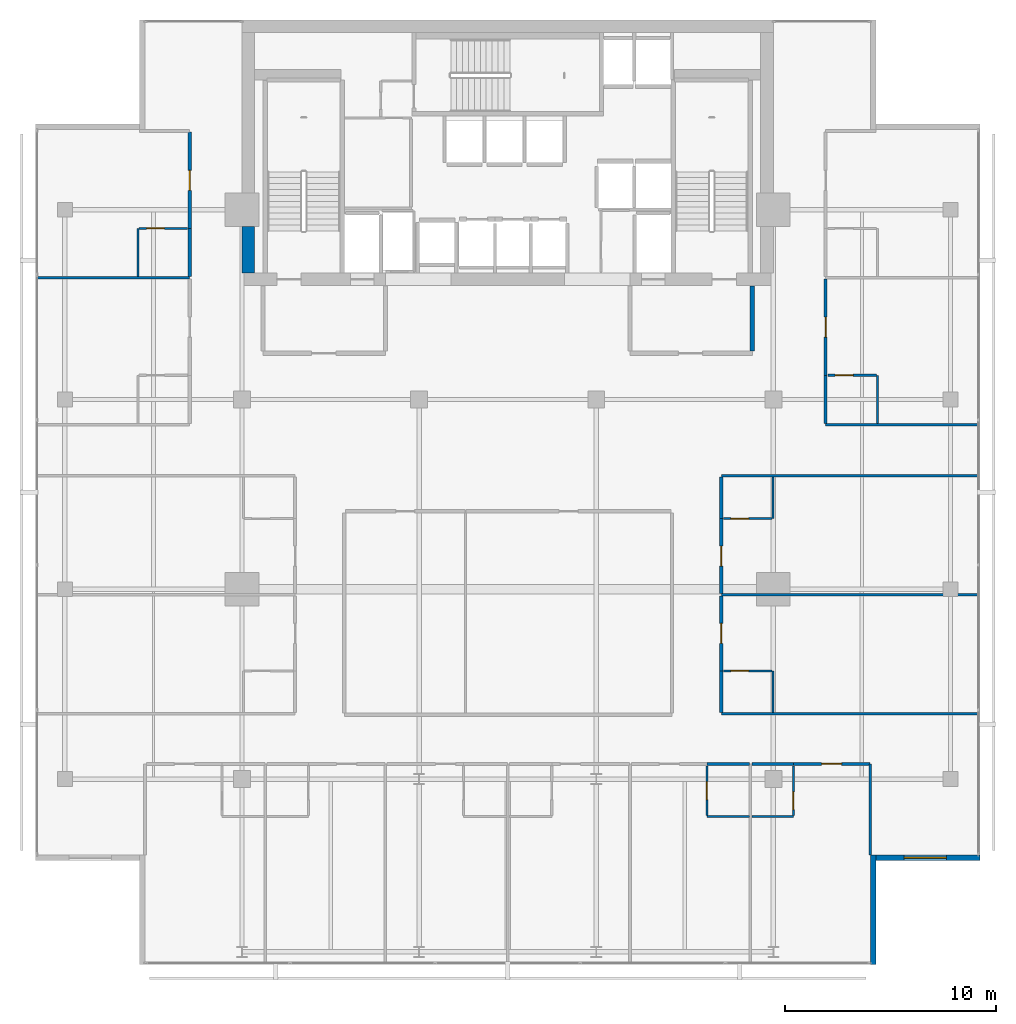
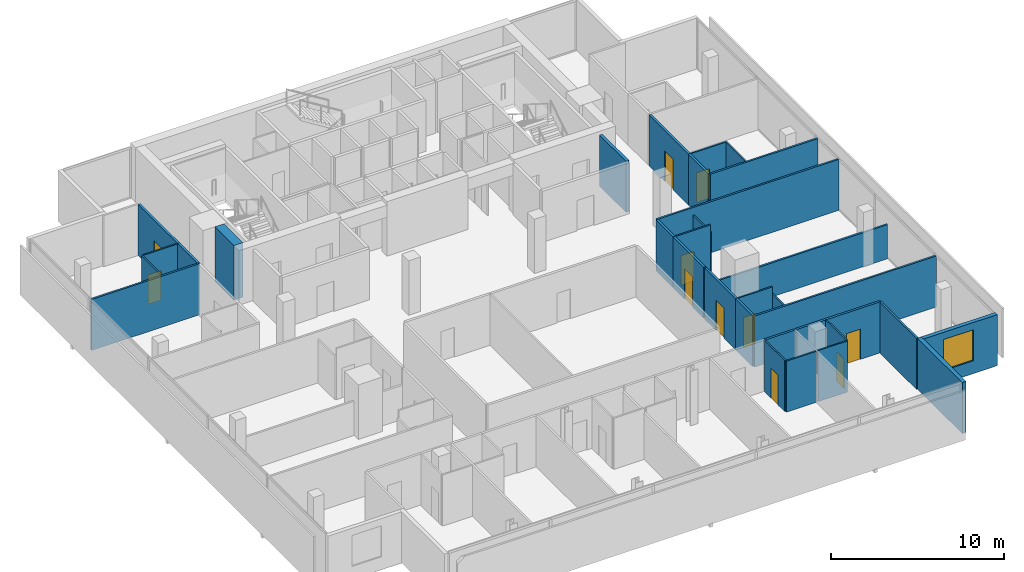
# One storey, part 21 of 25: 33 walls, 11 doors, 1 window, 12 openings.
"""IFC4 building model written with IfcOpenShell, lengths in metres."""

from ifc_helpers import new_model, si_unit, direction, frame, frame_2d, origin, place, context, subcontext, project, spatial, rectangle, extrude, material, layer, layer_set, type_object, element, fill, save


model = new_model("IFC4")

# Units and contexts
model_context = context("Model", 3, precision=1e-05, world=origin(), true_north=direction((0.0, 1.0)))
body_context = subcontext(model_context, "Body", "Model", "MODEL_VIEW")
ifc_project = project(units=[si_unit("LENGTHUNIT", "METRE"), si_unit("AREAUNIT", "SQUARE_METRE"), si_unit("VOLUMEUNIT", "CUBIC_METRE"), si_unit("PLANEANGLEUNIT", "RADIAN"), si_unit("MASSUNIT", "GRAM", prefix="KILO")], contexts=[model_context])

# Site, building, storey
site_placement = place(None, origin())
site = spatial("IfcSite", under=ifc_project, at=site_placement, CompositionType="ELEMENT")
building_placement = place(site_placement, origin())
building = spatial("IfcBuilding", under=site, at=building_placement, Name="Maruvema Waterfront Hotel and Observation Tower", CompositionType="ELEMENT")
storey_placement = place(building_placement, frame((0.0, 0.0, 239.39990234375)))
storey = spatial("IfcBuildingStorey", under=building, at=storey_placement, Name="L58", CompositionType="ELEMENT", Elevation=239.39990234375)

# Walls
ifc_material_1 = material(Name="Twin-stud acoustic gypsum drywall", Category="gypsum")
ifc_layer_1 = layer(ifc_material_1, 0.14990234375, Name="Acoustic Corridor and Suite Demising Wall 150 mm")
ifc_layer_set_1 = layer_set([ifc_layer_1], Name="Twin-stud acoustic gypsum drywall")
wall_type_1 = type_object("IfcWallType", Name="Acoustic Corridor and Suite Demising Wall 150 mm", PredefinedType="PARTITIONING", material=ifc_layer_set_1)
wall_1_placement = place(storey_placement, frame((47.25, 18.719970703125, 0.0), z_axis=(0.0, 0.0, 1.0), x_axis=(1.0, 0.0, 0.0)))
element("IfcWall", 1, at=wall_1_placement, inside=storey, type_object=wall_type_1, Name="L58 Bath L58-S5 Back Wall 045", PredefinedType="PARTITIONING", context=body_context, shape_type="SweptSolid", body=[
    extrude(rectangle(XDim=2.030029296875, YDim=0.14990234375, at=frame_2d((1.01513671875, 0.0))), origin(), (0.0, 0.0, 1.0), 3.610107421875),
])
wall_2_placement = place(storey_placement, frame((49.3798828125, 18.719970703125, 0.0), z_axis=(0.0, 0.0, 1.0), x_axis=(1.0, 0.0, 0.0)))
element("IfcWall", 2, at=wall_2_placement, inside=storey, type_object=wall_type_1, Name="L58 Bath L58-S6 Back Wall 050", PredefinedType="PARTITIONING", context=body_context, shape_type="SweptSolid", body=[
    extrude(rectangle(XDim=1.97021484375, YDim=0.14990234375, at=frame_2d((0.985107421875, 0.0))), origin(), (0.0, 0.0, 1.0), 3.610107421875),
])

# Wall, opening, door
wall_3_placement = place(storey_placement, frame((51.35009765625, 18.719970703125, 0.0), z_axis=(0.0, 0.0, 1.0), x_axis=(1.0, 0.0, 0.0)))
wall_3 = element("IfcWall", 3, at=wall_3_placement, inside=storey, type_object=wall_type_1, Name="L58 Unit L58-S6 Corridor Wall 053", PredefinedType="PARTITIONING", context=body_context, shape_type="SweptSolid", body=[
    extrude(rectangle(XDim=3.6298828125, YDim=0.14990234375, at=frame_2d((1.81494140625, 0.0))), origin(), (0.0, 0.0, 1.0), 3.610107421875),
])
opening_1_placement = place(wall_3_placement, frame((1.340087890625, 0.0, 0.0)))
opening_1 = element("IfcOpeningElement", 4, at=opening_1_placement, cuts=wall_3, Name="Opening DR-095", PredefinedType="OPENING", context=body_context, shape_type="SweptSolid", body=[
    extrude(rectangle(XDim=0.949951171875, YDim=2.14990234375, at=frame_2d((0.47509765625, 1.074951171875))), frame((0.0, 0.0849609375, 0.0), z_axis=(0.0, -1.0, 0.0), x_axis=(1.0, 0.0, 0.0)), (0.0, 0.0, 1.0), 0.169921875),
])
ifc_material_2 = material(Name="Acoustic solid-core hardwood timber leaf", Category="wood")
door_type_1 = type_object("IfcDoorType", Name="Guestroom Entrance Fire Door 950x2150 mm", OperationType="NOTDEFINED", PredefinedType="DOOR", material=ifc_material_2)
door_1_placement = place(opening_1_placement, frame((0.949951171875, 0.0, 0.0), z_axis=(0.0, 0.0, 1.0), x_axis=(-1.0, 0.0, 0.0)))
door_1 = element("IfcDoor", 5, at=door_1_placement, inside=storey, type_object=door_type_1, Name="L58 Unit L58-S6 Entrance Door", OperationType="SINGLE_SWING_LEFT", OverallHeight=2.14990234375, OverallWidth=0.949951171875, PredefinedType="DOOR", context=body_context, shape_type="SweptSolid", body=[
    extrude(rectangle(XDim=0.949951171875, YDim=2.14990234375, at=frame_2d((0.47509765625, 1.074951171875))), frame((0.0, 0.02490234375, 0.0), z_axis=(0.0, -1.0, 0.0), x_axis=(1.0, 0.0, 0.0)), (0.0, 0.0, 1.0), 0.050048828125),
])
fill(opening_1, door_1)

# Wall
wall_4_placement = place(storey_placement, frame((47.929931640625, 21.159912109375, 0.0), z_axis=(0.0, 0.0, 1.0), x_axis=(0.0, 1.0, 0.0)))
element("IfcWall", 6, at=wall_4_placement, inside=storey, type_object=wall_type_1, Name="L58 Bath L58-E1 Wall 062", PredefinedType="PARTITIONING", context=body_context, shape_type="SweptSolid", body=[
    extrude(rectangle(XDim=1.969970703125, YDim=0.14990234375, at=frame_2d((0.98486328125, 0.0))), origin(), (0.0, 0.0, 1.0), 3.610107421875),
])

# Wall, opening, door
wall_5_placement = place(storey_placement, frame((47.929931640625, 23.1298828125, 0.0), z_axis=(0.0, 0.0, 1.0), x_axis=(0.0, 1.0, 0.0)))
wall_5 = element("IfcWall", 7, at=wall_5_placement, inside=storey, type_object=wall_type_1, Name="L58 Room L58-E1 Corridor Wall 063", PredefinedType="PARTITIONING", context=body_context, shape_type="SweptSolid", body=[
    extrude(rectangle(XDim=3.550048828125, YDim=0.14990234375, at=frame_2d((1.77490234375, 0.0))), origin(), (0.0, 0.0, 1.0), 3.610107421875),
])
opening_2_placement = place(wall_5_placement, frame((1.300048828125, 0.0, 0.0)))
opening_2 = element("IfcOpeningElement", 8, at=opening_2_placement, cuts=wall_5, Name="Opening DR-095", PredefinedType="OPENING", context=body_context, shape_type="SweptSolid", body=[
    extrude(rectangle(XDim=0.949951171875, YDim=2.14990234375, at=frame_2d((0.47509765625, 1.074951171875))), frame((0.0, 0.0849609375, 0.0), z_axis=(0.0, -1.0, 0.0), x_axis=(1.0, 0.0, 0.0)), (0.0, 0.0, 1.0), 0.169921875),
])
door_2_placement = place(opening_2_placement, frame((0.949951171875, 0.0, 0.0), z_axis=(0.0, 0.0, 1.0), x_axis=(-1.0, 0.0, 0.0)))
door_2 = element("IfcDoor", 9, at=door_2_placement, inside=storey, type_object=door_type_1, Name="L58 Room L58-E1 Entrance Door", OperationType="SINGLE_SWING_LEFT", OverallHeight=2.14990234375, OverallWidth=0.949951171875, PredefinedType="DOOR", context=body_context, shape_type="SweptSolid", body=[
    extrude(rectangle(XDim=0.949951171875, YDim=2.14990234375, at=frame_2d((0.47509765625, 1.074951171875))), frame((0.0, 0.02490234375, 0.0), z_axis=(0.0, -1.0, 0.0), x_axis=(1.0, 0.0, 0.0)), (0.0, 0.0, 1.0), 0.050048828125),
])
fill(opening_2, door_2)

wall_6_placement = place(storey_placement, frame((47.929931640625, 26.800048828125, 0.0), z_axis=(0.0, 0.0, 1.0), x_axis=(0.0, 1.0, 0.0)))
wall_6 = element("IfcWall", 10, at=wall_6_placement, inside=storey, type_object=wall_type_1, Name="L58 Room L58-E2 Corridor Wall 072", PredefinedType="PARTITIONING", context=body_context, shape_type="SweptSolid", body=[
    extrude(rectangle(XDim=3.550048828125, YDim=0.14990234375, at=frame_2d((1.77490234375, 0.0))), origin(), (0.0, 0.0, 1.0), 3.610107421875),
])
opening_3_placement = place(wall_6_placement, frame((1.300048828125, 0.0, 0.0)))
opening_3 = element("IfcOpeningElement", 11, at=opening_3_placement, cuts=wall_6, Name="Opening DR-095", PredefinedType="OPENING", context=body_context, shape_type="SweptSolid", body=[
    extrude(rectangle(XDim=0.949951171875, YDim=2.14990234375, at=frame_2d((0.47509765625, 1.074951171875))), frame((0.0, 0.0849609375, 0.0), z_axis=(0.0, -1.0, 0.0), x_axis=(1.0, 0.0, 0.0)), (0.0, 0.0, 1.0), 0.169921875),
])
door_3_placement = place(opening_3_placement, frame((0.949951171875, 0.0, 0.0), z_axis=(0.0, 0.0, 1.0), x_axis=(-1.0, 0.0, 0.0)))
door_3 = element("IfcDoor", 12, at=door_3_placement, inside=storey, type_object=door_type_1, Name="L58 Room L58-E2 Entrance Door", OperationType="SINGLE_SWING_LEFT", OverallHeight=2.14990234375, OverallWidth=0.949951171875, PredefinedType="DOOR", context=body_context, shape_type="SweptSolid", body=[
    extrude(rectangle(XDim=0.949951171875, YDim=2.14990234375, at=frame_2d((0.47509765625, 1.074951171875))), frame((0.0, 0.02490234375, 0.0), z_axis=(0.0, -1.0, 0.0), x_axis=(1.0, 0.0, 0.0)), (0.0, 0.0, 1.0), 0.050048828125),
])
fill(opening_3, door_3)

# Walls
wall_7_placement = place(storey_placement, frame((47.929931640625, 30.35009765625, 0.0), z_axis=(0.0, 0.0, 1.0), x_axis=(0.0, 1.0, 0.0)))
element("IfcWall", 13, at=wall_7_placement, inside=storey, type_object=wall_type_1, Name="L58 Bath L58-E2 Wall 073", PredefinedType="PARTITIONING", context=body_context, shape_type="SweptSolid", body=[
    extrude(rectangle(XDim=1.969970703125, YDim=0.14990234375, at=frame_2d((0.98486328125, 0.0))), origin(), (0.0, 0.0, 1.0), 3.610107421875),
])
wall_8_placement = place(storey_placement, frame((52.8798828125, 34.860107421875, 0.0), z_axis=(0.0, 0.0, 1.0), x_axis=(0.0, 1.0, 0.0)))
element("IfcWall", 14, at=wall_8_placement, inside=storey, type_object=wall_type_1, Name="L58 Bath L58-NE1 Wall 084", PredefinedType="PARTITIONING", context=body_context, shape_type="SweptSolid", body=[
    extrude(rectangle(XDim=2.289794921875, YDim=0.14990234375, at=frame_2d((1.14501953125, 0.0))), origin(), (0.0, 0.0, 1.0), 3.610107421875),
])

# Wall, opening, door
wall_9_placement = place(storey_placement, frame((52.8798828125, 37.14990234375, 0.0), z_axis=(0.0, 0.0, 1.0), x_axis=(0.0, 1.0, 0.0)))
wall_9 = element("IfcWall", 15, at=wall_9_placement, inside=storey, type_object=wall_type_1, Name="L58 Room L58-NE1 Corridor Wall 085", PredefinedType="PARTITIONING", context=body_context, shape_type="SweptSolid", body=[
    extrude(rectangle(XDim=4.558837890625, YDim=0.14990234375, at=frame_2d((2.279296875, 0.0))), origin(), (0.0, 0.0, 1.0), 3.610107421875),
])
opening_4_placement = place(wall_9_placement, frame((1.804443359375, 0.0, 0.0)))
opening_4 = element("IfcOpeningElement", 16, at=opening_4_placement, cuts=wall_9, Name="Opening DR-095", PredefinedType="OPENING", context=body_context, shape_type="SweptSolid", body=[
    extrude(rectangle(XDim=0.949951171875, YDim=2.14990234375, at=frame_2d((0.47509765625, 1.074951171875))), frame((0.0, 0.0849609375, 0.0), z_axis=(0.0, -1.0, 0.0), x_axis=(1.0, 0.0, 0.0)), (0.0, 0.0, 1.0), 0.169921875),
])
door_4_placement = place(opening_4_placement, frame((0.949951171875, 0.0, 0.0), z_axis=(0.0, 0.0, 1.0), x_axis=(-1.0, 0.0, 0.0)))
door_4 = element("IfcDoor", 17, at=door_4_placement, inside=storey, type_object=door_type_1, Name="L58 Room L58-NE1 Entrance Door", OperationType="SINGLE_SWING_LEFT", OverallHeight=2.14990234375, OverallWidth=0.949951171875, PredefinedType="DOOR", context=body_context, shape_type="SweptSolid", body=[
    extrude(rectangle(XDim=0.949951171875, YDim=2.14990234375, at=frame_2d((0.47509765625, 1.074951171875))), frame((0.0, 0.02490234375, 0.0), z_axis=(0.0, -1.0, 0.0), x_axis=(1.0, 0.0, 0.0)), (0.0, 0.0, 1.0), 0.050048828125),
])
fill(opening_4, door_4)

# Wall
wall_10_placement = place(storey_placement, frame((22.719970703125, 41.82861328125, 0.0), z_axis=(0.0, 0.0, 1.0), x_axis=(0.0, 1.0, 0.0)))
element("IfcWall", 18, at=wall_10_placement, inside=storey, type_object=wall_type_1, Name="L58 Bath L58-NW2 Wall 090", PredefinedType="PARTITIONING", context=body_context, shape_type="SweptSolid", body=[
    extrude(rectangle(XDim=2.2900390625, YDim=0.14990234375, at=frame_2d((1.14501953125, 0.0))), origin(), (0.0, 0.0, 1.0), 3.610107421875),
])

# Wall, opening, door
wall_11_placement = place(storey_placement, frame((22.719970703125, 44.11865234375, 0.0), z_axis=(0.0, 0.0, 1.0), x_axis=(0.0, 1.0, 0.0)))
wall_11 = element("IfcWall", 19, at=wall_11_placement, inside=storey, type_object=wall_type_1, Name="L58 Room L58-NW2 Corridor Wall 091", PredefinedType="PARTITIONING", context=body_context, shape_type="SweptSolid", body=[
    extrude(rectangle(XDim=4.558837890625, YDim=0.14990234375, at=frame_2d((2.279296875, 0.0))), origin(), (0.0, 0.0, 1.0), 3.610107421875),
])
opening_5_placement = place(wall_11_placement, frame((1.804443359375, 0.0, 0.0)))
opening_5 = element("IfcOpeningElement", 20, at=opening_5_placement, cuts=wall_11, Name="Opening DR-095", PredefinedType="OPENING", context=body_context, shape_type="SweptSolid", body=[
    extrude(rectangle(XDim=0.949951171875, YDim=2.14990234375, at=frame_2d((0.47509765625, 1.074951171875))), frame((0.0, 0.0849609375, 0.0), z_axis=(0.0, -1.0, 0.0), x_axis=(1.0, 0.0, 0.0)), (0.0, 0.0, 1.0), 0.169921875),
])
door_5_placement = place(opening_5_placement, origin())
door_5 = element("IfcDoor", 21, at=door_5_placement, inside=storey, type_object=door_type_1, Name="L58 Room L58-NW2 Entrance Door", OperationType="SINGLE_SWING_LEFT", OverallHeight=2.14990234375, OverallWidth=0.949951171875, PredefinedType="DOOR", context=body_context, shape_type="SweptSolid", body=[
    extrude(rectangle(XDim=0.949951171875, YDim=2.14990234375, at=frame_2d((0.47509765625, 1.074951171875))), frame((0.0, 0.02490234375, 0.0), z_axis=(0.0, -1.0, 0.0), x_axis=(1.0, 0.0, 0.0)), (0.0, 0.0, 1.0), 0.050048828125),
])
fill(opening_5, door_5)

# Walls
ifc_material_3 = material(Name="Concrete C60/75", Category="concrete")
ifc_layer_2 = layer(ifc_material_3, 0.60009765625, Name="Core Shear Wall 600 mm")
ifc_layer_set_2 = layer_set([ifc_layer_2], Name="Concrete C60/75")
wall_type_2 = type_object("IfcWallType", Name="Core Shear Wall 600 mm", PredefinedType="SHEAR", material=ifc_layer_set_2)
wall_12_placement = place(storey_placement, frame((25.5, 42.0, 0.0), z_axis=(0.0, 0.0, 1.0), x_axis=(0.0, 1.0, 0.0)))
element("IfcWall", 22, at=wall_12_placement, inside=storey, type_object=wall_type_2, Name="L58 West-South Core Shear Wall", PredefinedType="SHEAR", context=body_context, shape_type="SweptSolid", body=[
    extrude(rectangle(XDim=2.199951171875, YDim=0.60009765625, at=frame_2d((1.10009765625, 0.0))), origin(), (0.0, 0.0, 1.0), 3.85009765625),
])
ifc_material_4 = material(Name="Moisture-resistant cement-board drywall", Category="gypsum")
ifc_layer_3 = layer(ifc_material_4, 0.10009765625, Name="En-Suite Moisture-Resistant Partition 100 mm")
ifc_layer_set_3 = layer_set([ifc_layer_3], Name="Moisture-resistant cement-board drywall")
wall_type_3 = type_object("IfcWallType", Name="En-Suite Moisture-Resistant Partition 100 mm", PredefinedType="PARTITIONING", material=ifc_layer_set_3)
wall_13_placement = place(storey_placement, frame((47.25, 16.219970703125, 0.0), z_axis=(0.0, 0.0, 1.0), x_axis=(1.0, 0.0, 0.0)))
element("IfcWall", 23, at=wall_13_placement, inside=storey, type_object=wall_type_3, Name="L58 En-Suite L58-S5 South 046", PredefinedType="PARTITIONING", context=body_context, shape_type="SweptSolid", body=[
    extrude(rectangle(XDim=2.010009765625, YDim=0.10009765625, at=frame_2d((1.0048828125, 0.0))), origin(), (0.0, 0.0, 1.0), 3.610107421875),
])

# Wall, opening, door
wall_14_placement = place(storey_placement, frame((47.25, 16.280029296875, 0.0), z_axis=(0.0, 0.0, 1.0), x_axis=(0.0, 1.0, 0.0)))
wall_14 = element("IfcWall", 24, at=wall_14_placement, inside=storey, type_object=wall_type_3, Name="L58 En-Suite L58-S5 West 047", PredefinedType="PARTITIONING", context=body_context, shape_type="SweptSolid", body=[
    extrude(rectangle(XDim=2.340087890625, YDim=0.10009765625, at=frame_2d((1.169921875, 0.0))), origin(), (0.0, 0.0, 1.0), 3.610107421875),
])
opening_6_placement = place(wall_14_placement, frame((0.7451171875, 0.0, 0.0)))
opening_6 = element("IfcOpeningElement", 25, at=opening_6_placement, cuts=wall_14, Name="Opening DR-085", PredefinedType="OPENING", context=body_context, shape_type="SweptSolid", body=[
    extrude(rectangle(XDim=0.85009765625, YDim=2.10009765625, at=frame_2d((0.425048828125, 1.050048828125))), frame((0.0, 0.06005859375, 0.0), z_axis=(0.0, -1.0, 0.0), x_axis=(1.0, 0.0, 0.0)), (0.0, 0.0, 1.0), 0.1201171875),
])
ifc_material_5 = material(Name="Moisture-resistant solid timber leaf", Category="wood")
door_type_2 = type_object("IfcDoorType", Name="En-Suite Bathroom Door 850x2100 mm", OperationType="NOTDEFINED", PredefinedType="DOOR", material=ifc_material_5)
door_6_placement = place(opening_6_placement, origin())
door_6 = element("IfcDoor", 26, at=door_6_placement, inside=storey, type_object=door_type_2, Name="L58 En-Suite L58-S5 Door", OperationType="SINGLE_SWING_RIGHT", OverallHeight=2.10009765625, OverallWidth=0.85009765625, PredefinedType="DOOR", context=body_context, shape_type="SweptSolid", body=[
    extrude(rectangle(XDim=0.85009765625, YDim=2.10009765625, at=frame_2d((0.425048828125, 1.050048828125))), frame((0.0, 0.02490234375, 0.0), z_axis=(0.0, -1.0, 0.0), x_axis=(1.0, 0.0, 0.0)), (0.0, 0.0, 1.0), 0.050048828125),
])
fill(opening_6, door_6)

# Wall
wall_15_placement = place(storey_placement, frame((49.3798828125, 16.219970703125, 0.0), z_axis=(0.0, 0.0, 1.0), x_axis=(1.0, 0.0, 0.0)))
element("IfcWall", 27, at=wall_15_placement, inside=storey, type_object=wall_type_3, Name="L58 En-Suite L58-S6 South 051", PredefinedType="PARTITIONING", context=body_context, shape_type="SweptSolid", body=[
    extrude(rectangle(XDim=1.97021484375, YDim=0.10009765625, at=frame_2d((0.985107421875, 0.0))), origin(), (0.0, 0.0, 1.0), 3.610107421875),
])

# Wall, opening, door
wall_16_placement = place(storey_placement, frame((51.35009765625, 16.280029296875, 0.0), z_axis=(0.0, 0.0, 1.0), x_axis=(0.0, 1.0, 0.0)))
wall_16 = element("IfcWall", 28, at=wall_16_placement, inside=storey, type_object=wall_type_3, Name="L58 En-Suite L58-S6 East 052", PredefinedType="PARTITIONING", context=body_context, shape_type="SweptSolid", body=[
    extrude(rectangle(XDim=2.340087890625, YDim=0.10009765625, at=frame_2d((1.169921875, 0.0))), origin(), (0.0, 0.0, 1.0), 3.610107421875),
])
opening_7_placement = place(wall_16_placement, frame((0.264892578125, 0.0, 0.0)))
opening_7 = element("IfcOpeningElement", 29, at=opening_7_placement, cuts=wall_16, Name="Opening DR-085", PredefinedType="OPENING", context=body_context, shape_type="SweptSolid", body=[
    extrude(rectangle(XDim=0.85009765625, YDim=2.10009765625, at=frame_2d((0.425048828125, 1.050048828125))), frame((0.0, 0.06005859375, 0.0), z_axis=(0.0, -1.0, 0.0), x_axis=(1.0, 0.0, 0.0)), (0.0, 0.0, 1.0), 0.1201171875),
])
door_7_placement = place(opening_7_placement, frame((0.85009765625, 0.0, 0.0), z_axis=(0.0, 0.0, 1.0), x_axis=(-1.0, 0.0, 0.0)))
door_7 = element("IfcDoor", 30, at=door_7_placement, inside=storey, type_object=door_type_2, Name="L58 En-Suite L58-S6 Door", OperationType="SINGLE_SWING_RIGHT", OverallHeight=2.10009765625, OverallWidth=0.85009765625, PredefinedType="DOOR", context=body_context, shape_type="SweptSolid", body=[
    extrude(rectangle(XDim=0.85009765625, YDim=2.10009765625, at=frame_2d((0.425048828125, 1.050048828125))), frame((0.0, 0.02490234375, 0.0), z_axis=(0.0, -1.0, 0.0), x_axis=(1.0, 0.0, 0.0)), (0.0, 0.0, 1.0), 0.050048828125),
])
fill(opening_7, door_7)

# Wall
wall_17_placement = place(storey_placement, frame((50.3798828125, 21.159912109375, 0.0), z_axis=(0.0, 0.0, 1.0), x_axis=(0.0, 1.0, 0.0)))
element("IfcWall", 31, at=wall_17_placement, inside=storey, type_object=wall_type_3, Name="L58 En-Suite L58-E1 E 064", PredefinedType="PARTITIONING", context=body_context, shape_type="SweptSolid", body=[
    extrude(rectangle(XDim=1.969970703125, YDim=0.10009765625, at=frame_2d((0.98486328125, 0.0))), origin(), (0.0, 0.0, 1.0), 3.0771484375),
])

# Wall, opening, door
wall_18_placement = place(storey_placement, frame((48.030029296875, 23.1298828125, 0.0), z_axis=(0.0, 0.0, 1.0), x_axis=(1.0, 0.0, 0.0)))
wall_18 = element("IfcWall", 32, at=wall_18_placement, inside=storey, type_object=wall_type_3, Name="L58 En-Suite L58-E1 N 065", PredefinedType="PARTITIONING", context=body_context, shape_type="SweptSolid", body=[
    extrude(rectangle(XDim=2.300048828125, YDim=0.10009765625, at=frame_2d((1.14990234375, 0.0))), origin(), (0.0, 0.0, 1.0), 3.610107421875),
])
opening_8_placement = place(wall_18_placement, frame((0.35009765625, 0.0, 0.0)))
opening_8 = element("IfcOpeningElement", 33, at=opening_8_placement, cuts=wall_18, Name="Opening DR-085", PredefinedType="OPENING", context=body_context, shape_type="SweptSolid", body=[
    extrude(rectangle(XDim=0.85009765625, YDim=2.10009765625, at=frame_2d((0.425048828125, 1.050048828125))), frame((0.0, 0.06005859375, 0.0), z_axis=(0.0, -1.0, 0.0), x_axis=(1.0, 0.0, 0.0)), (0.0, 0.0, 1.0), 0.1201171875),
])
door_8_placement = place(opening_8_placement, origin())
door_8 = element("IfcDoor", 34, at=door_8_placement, inside=storey, type_object=door_type_2, Name="L58 En-Suite L58-E1 Door", OperationType="SINGLE_SWING_RIGHT", OverallHeight=2.10009765625, OverallWidth=0.85009765625, PredefinedType="DOOR", context=body_context, shape_type="SweptSolid", body=[
    extrude(rectangle(XDim=0.85009765625, YDim=2.10009765625, at=frame_2d((0.425048828125, 1.050048828125))), frame((0.0, 0.02490234375, 0.0), z_axis=(0.0, -1.0, 0.0), x_axis=(1.0, 0.0, 0.0)), (0.0, 0.0, 1.0), 0.050048828125),
])
fill(opening_8, door_8)

# Wall
wall_19_placement = place(storey_placement, frame((50.3798828125, 30.35009765625, 0.0), z_axis=(0.0, 0.0, 1.0), x_axis=(0.0, 1.0, 0.0)))
element("IfcWall", 35, at=wall_19_placement, inside=storey, type_object=wall_type_3, Name="L58 En-Suite L58-E2 E 074", PredefinedType="PARTITIONING", context=body_context, shape_type="SweptSolid", body=[
    extrude(rectangle(XDim=1.969970703125, YDim=0.10009765625, at=frame_2d((0.98486328125, 0.0))), origin(), (0.0, 0.0, 1.0), 3.0771484375),
])

# Wall, opening, door
wall_20_placement = place(storey_placement, frame((48.030029296875, 30.35009765625, 0.0), z_axis=(0.0, 0.0, 1.0), x_axis=(1.0, 0.0, 0.0)))
wall_20 = element("IfcWall", 36, at=wall_20_placement, inside=storey, type_object=wall_type_3, Name="L58 En-Suite L58-E2 S 075", PredefinedType="PARTITIONING", context=body_context, shape_type="SweptSolid", body=[
    extrude(rectangle(XDim=2.300048828125, YDim=0.10009765625, at=frame_2d((1.14990234375, 0.0))), origin(), (0.0, 0.0, 1.0), 3.610107421875),
])
opening_9_placement = place(wall_20_placement, frame((0.35009765625, 0.0, 0.0)))
opening_9 = element("IfcOpeningElement", 37, at=opening_9_placement, cuts=wall_20, Name="Opening DR-085", PredefinedType="OPENING", context=body_context, shape_type="SweptSolid", body=[
    extrude(rectangle(XDim=0.85009765625, YDim=2.10009765625, at=frame_2d((0.425048828125, 1.050048828125))), frame((0.0, 0.06005859375, 0.0), z_axis=(0.0, -1.0, 0.0), x_axis=(1.0, 0.0, 0.0)), (0.0, 0.0, 1.0), 0.1201171875),
])
door_9_placement = place(opening_9_placement, frame((0.85009765625, 0.0, 0.0), z_axis=(0.0, 0.0, 1.0), x_axis=(-1.0, 0.0, 0.0)))
door_9 = element("IfcDoor", 38, at=door_9_placement, inside=storey, type_object=door_type_2, Name="L58 En-Suite L58-E2 Door", OperationType="SINGLE_SWING_RIGHT", OverallHeight=2.10009765625, OverallWidth=0.85009765625, PredefinedType="DOOR", context=body_context, shape_type="SweptSolid", body=[
    extrude(rectangle(XDim=0.85009765625, YDim=2.10009765625, at=frame_2d((0.425048828125, 1.050048828125))), frame((0.0, 0.02490234375, 0.0), z_axis=(0.0, -1.0, 0.0), x_axis=(1.0, 0.0, 0.0)), (0.0, 0.0, 1.0), 0.050048828125),
])
fill(opening_9, door_9)

# Wall
wall_21_placement = place(storey_placement, frame((55.330078125, 34.860107421875, 0.0), z_axis=(0.0, 0.0, 1.0), x_axis=(0.0, 1.0, 0.0)))
element("IfcWall", 39, at=wall_21_placement, inside=storey, type_object=wall_type_3, Name="L58 En-Suite L58-NE1 E 086", PredefinedType="PARTITIONING", context=body_context, shape_type="SweptSolid", body=[
    extrude(rectangle(XDim=2.289794921875, YDim=0.10009765625, at=frame_2d((1.14501953125, 0.0))), origin(), (0.0, 0.0, 1.0), 3.610107421875),
])

# Wall, opening, door
wall_22_placement = place(storey_placement, frame((52.97998046875, 37.14990234375, 0.0), z_axis=(0.0, 0.0, 1.0), x_axis=(1.0, 0.0, 0.0)))
wall_22 = element("IfcWall", 40, at=wall_22_placement, inside=storey, type_object=wall_type_3, Name="L58 En-Suite L58-NE1 N 087", PredefinedType="PARTITIONING", context=body_context, shape_type="SweptSolid", body=[
    extrude(rectangle(XDim=2.300048828125, YDim=0.10009765625, at=frame_2d((1.14990234375, 0.0))), origin(), (0.0, 0.0, 1.0), 3.610107421875),
])
opening_10_placement = place(wall_22_placement, frame((0.35009765625, 0.0, 0.0)))
opening_10 = element("IfcOpeningElement", 41, at=opening_10_placement, cuts=wall_22, Name="Opening DR-085", PredefinedType="OPENING", context=body_context, shape_type="SweptSolid", body=[
    extrude(rectangle(XDim=0.85009765625, YDim=2.10009765625, at=frame_2d((0.425048828125, 1.050048828125))), frame((0.0, 0.06005859375, 0.0), z_axis=(0.0, -1.0, 0.0), x_axis=(1.0, 0.0, 0.0)), (0.0, 0.0, 1.0), 0.1201171875),
])
door_10_placement = place(opening_10_placement, origin())
door_10 = element("IfcDoor", 42, at=door_10_placement, inside=storey, type_object=door_type_2, Name="L58 En-Suite L58-NE1 Door", OperationType="SINGLE_SWING_RIGHT", OverallHeight=2.10009765625, OverallWidth=0.85009765625, PredefinedType="DOOR", context=body_context, shape_type="SweptSolid", body=[
    extrude(rectangle(XDim=0.85009765625, YDim=2.10009765625, at=frame_2d((0.425048828125, 1.050048828125))), frame((0.0, 0.02490234375, 0.0), z_axis=(0.0, -1.0, 0.0), x_axis=(1.0, 0.0, 0.0)), (0.0, 0.0, 1.0), 0.050048828125),
])
fill(opening_10, door_10)

# Wall
wall_23_placement = place(storey_placement, frame((20.27001953125, 41.82861328125, 0.0), z_axis=(0.0, 0.0, 1.0), x_axis=(0.0, 1.0, 0.0)))
element("IfcWall", 43, at=wall_23_placement, inside=storey, type_object=wall_type_3, Name="L58 En-Suite L58-NW2 W 092", PredefinedType="PARTITIONING", context=body_context, shape_type="SweptSolid", body=[
    extrude(rectangle(XDim=2.2900390625, YDim=0.10009765625, at=frame_2d((1.14501953125, 0.0))), origin(), (0.0, 0.0, 1.0), 3.610107421875),
])

# Wall, opening, door
wall_24_placement = place(storey_placement, frame((20.320068359375, 44.11865234375, 0.0), z_axis=(0.0, 0.0, 1.0), x_axis=(1.0, 0.0, 0.0)))
wall_24 = element("IfcWall", 44, at=wall_24_placement, inside=storey, type_object=wall_type_3, Name="L58 En-Suite L58-NW2 N 093", PredefinedType="PARTITIONING", context=body_context, shape_type="SweptSolid", body=[
    extrude(rectangle(XDim=2.300048828125, YDim=0.10009765625, at=frame_2d((1.14990234375, 0.0))), origin(), (0.0, 0.0, 1.0), 3.610107421875),
])
opening_11_placement = place(wall_24_placement, frame((0.35009765625, 0.0, 0.0)))
opening_11 = element("IfcOpeningElement", 45, at=opening_11_placement, cuts=wall_24, Name="Opening DR-085", PredefinedType="OPENING", context=body_context, shape_type="SweptSolid", body=[
    extrude(rectangle(XDim=0.85009765625, YDim=2.10009765625, at=frame_2d((0.425048828125, 1.050048828125))), frame((0.0, 0.06005859375, 0.0), z_axis=(0.0, -1.0, 0.0), x_axis=(1.0, 0.0, 0.0)), (0.0, 0.0, 1.0), 0.1201171875),
])
door_11_placement = place(opening_11_placement, origin())
door_11 = element("IfcDoor", 46, at=door_11_placement, inside=storey, type_object=door_type_2, Name="L58 En-Suite L58-NW2 Door", OperationType="SINGLE_SWING_RIGHT", OverallHeight=2.10009765625, OverallWidth=0.85009765625, PredefinedType="DOOR", context=body_context, shape_type="SweptSolid", body=[
    extrude(rectangle(XDim=0.85009765625, YDim=2.10009765625, at=frame_2d((0.425048828125, 1.050048828125))), frame((0.0, 0.02490234375, 0.0), z_axis=(0.0, -1.0, 0.0), x_axis=(1.0, 0.0, 0.0)), (0.0, 0.0, 1.0), 0.050048828125),
])
fill(opening_11, door_11)

# Wall
ifc_material_6 = material(Name="Precast concrete C45/55 with honed Pernambuco granite facing", Category="masonry")
ifc_layer_4 = layer(ifc_material_6, 0.260009765625, Name="Exterior Granite Clad Spandrel and Pier Wall 260 mm")
ifc_layer_set_4 = layer_set([ifc_layer_4], Name="Precast concrete C45/55 with honed Pernambuco granite facing")
wall_type_4 = type_object("IfcWallType", Name="Exterior Granite Clad Spandrel and Pier Wall 260 mm", PredefinedType="SOLIDWALL", material=ifc_layer_set_4)
wall_25_placement = place(storey_placement, frame((55.1298828125, 14.39990234375, 0.0), z_axis=(0.0, 0.0, 1.0), x_axis=(0.0, -1.0, 0.0)))
element("IfcWall", 47, at=wall_25_placement, inside=storey, type_object=wall_type_4, Name="L58 Corner Notch Granite Pier Wall SE1", PredefinedType="SOLIDWALL", context=body_context, shape_type="SweptSolid", body=[
    extrude(rectangle(XDim=5.199951171875, YDim=0.260009765625, at=frame_2d((2.60009765625, 0.0))), origin(), (0.0, 0.0, 1.0), 3.610107421875),
])

# Wall, opening, window
wall_26_placement = place(storey_placement, frame((60.199951171875, 14.27001953125, 0.0), z_axis=(0.0, 0.0, 1.0), x_axis=(-1.0, 0.0, 0.0)))
wall_26 = element("IfcWall", 48, at=wall_26_placement, inside=storey, type_object=wall_type_4, Name="L58 Corner Notch Granite Pier Wall SE2", PredefinedType="SOLIDWALL", context=body_context, shape_type="SweptSolid", body=[
    extrude(rectangle(XDim=5.199951171875, YDim=0.260009765625, at=frame_2d((2.60009765625, 0.0))), origin(), (0.0, 0.0, 1.0), 3.610107421875),
])
opening_12_placement = place(wall_26_placement, frame((1.60009765625, 0.0, 0.89990234375)))
opening_12 = element("IfcOpeningElement", 49, at=opening_12_placement, cuts=wall_26, Name="Opening WN-03", PredefinedType="OPENING", context=body_context, shape_type="SweptSolid", body=[
    extrude(rectangle(XDim=2.0, YDim=2.199951171875, at=frame_2d((1.0, 1.10009765625))), frame((0.0, 0.14013671875, 0.0), z_axis=(0.0, -1.0, 0.0), x_axis=(1.0, 0.0, 0.0)), (0.0, 0.0, 1.0), 0.280029296875),
])
ifc_material_7 = material(Name="Anodised bronze aluminium frame with laminated low-E glass", Category="aluminium")
window_type = type_object("IfcWindowType", Name="Sky Suite Panoramic Notch Window 2000x2200 mm", PartitioningType="SINGLE_PANEL", PredefinedType="WINDOW", material=ifc_material_7)
window_placement = place(opening_12_placement, origin())
window = element("IfcWindow", 50, at=window_placement, inside=storey, type_object=window_type, Name="L58 Corner Notch Punched Window SE2", OverallHeight=2.199951171875, OverallWidth=2.0, PartitioningType="SINGLE_PANEL", PredefinedType="WINDOW", context=body_context, shape_type="SweptSolid", body=[
    extrude(rectangle(XDim=2.0, YDim=2.199951171875, at=frame_2d((1.0, 1.10009765625))), frame((0.0, 0.030029296875, 0.0), z_axis=(0.0, -1.0, 0.0), x_axis=(1.0, 0.0, 0.0)), (0.0, 0.0, 1.0), 0.06005859375),
])
fill(opening_12, window)

# Walls
ifc_material_8 = material(Name="Autoclaved cellular concrete blockwork", Category="masonry")
ifc_layer_5 = layer(ifc_material_8, 0.199951171875, Name="Fire Compartment Masonry Wall 200 mm")
ifc_layer_set_5 = layer_set([ifc_layer_5], Name="Autoclaved cellular concrete blockwork")
wall_type_5 = type_object("IfcWallType", Name="Fire Compartment Masonry Wall 200 mm", PredefinedType="PARTITIONING", material=ifc_layer_set_5)
wall_27_placement = place(storey_placement, frame((49.39990234375, 38.31005859375, 0.0), z_axis=(0.0, 0.0, 1.0), x_axis=(0.0, 1.0, 0.0)))
element("IfcWall", 51, at=wall_27_placement, inside=storey, type_object=wall_type_5, Name="L58 FFL East East Wall 006", PredefinedType="PARTITIONING", context=body_context, shape_type="SweptSolid", body=[
    extrude(rectangle(XDim=3.06982421875, YDim=0.199951171875, at=frame_2d((1.534912109375, 0.0))), origin(), (0.0, 0.0, 1.0), 3.610107421875),
])
ifc_material_9 = material(Name="Acoustic gypsum plasterboard drywall", Category="gypsum")
ifc_layer_6 = layer(ifc_material_9, 0.125, Name="Guestroom Acoustic Demising Wall 125 mm")
ifc_layer_set_6 = layer_set([ifc_layer_6], Name="Acoustic gypsum plasterboard drywall")
wall_type_6 = type_object("IfcWallType", Name="Guestroom Acoustic Demising Wall 125 mm", PredefinedType="PARTITIONING", material=ifc_layer_set_6)
wall_28_placement = place(storey_placement, frame((55.0, 14.39990234375, 0.0), z_axis=(0.0, 0.0, 1.0), x_axis=(0.0, 1.0, 0.0)))
element("IfcWall", 52, at=wall_28_placement, inside=storey, type_object=wall_type_6, Name="L58 Z3 S East End 024", PredefinedType="PARTITIONING", context=body_context, shape_type="SweptSolid", body=[
    extrude(rectangle(XDim=4.320068359375, YDim=0.125, at=frame_2d((2.16015625, 0.0))), origin(), (0.0, 0.0, 1.0), 3.610107421875),
])
for number, where, z_axis, x_axis, name in (
    (53, (47.929931640625, 21.10009765625, 0.0), (0.0, 0.0, 1.0), (1.0, 0.0, 0.0), "L58 Z3 E Bot End 055"),
    (54, (47.929931640625, 32.3798828125, 0.0), (0.0, 0.0, 1.0), (1.0, 0.0, 0.0), "L58 Z3 E Top End 057"),
):
    element("IfcWall", number, at=place(storey_placement, frame(where, z_axis=z_axis, x_axis=x_axis)), inside=storey, type_object=wall_type_6, Name=name, PredefinedType="PARTITIONING", context=body_context, shape_type="SweptSolid", body=[
        extrude(rectangle(XDim=12.170166015625, YDim=0.125, at=frame_2d((6.0849609375, 0.0))), origin(), (0.0, 0.0, 1.0), 3.610107421875),
    ])
wall_29_placement = place(storey_placement, frame((47.929931640625, 26.739990234375, 0.0), z_axis=(0.0, 0.0, 1.0), x_axis=(1.0, 0.0, 0.0)))
element("IfcWall", 55, at=wall_29_placement, inside=storey, type_object=wall_type_6, Name="L58 Z3 E Demising 2 067", PredefinedType="PARTITIONING", context=body_context, shape_type="SweptSolid", body=[
    extrude(rectangle(XDim=12.170166015625, YDim=0.125, at=frame_2d((6.0849609375, 0.0))), origin(), (0.0, 0.0, 1.0), 2.41015625),
])
wall_30_placement = place(storey_placement, frame((52.8798828125, 34.800048828125, 0.0), z_axis=(0.0, 0.0, 1.0), x_axis=(1.0, 0.0, 0.0)))
element("IfcWall", 56, at=wall_30_placement, inside=storey, type_object=wall_type_6, Name="L58 Z3 NE Bot End 077", PredefinedType="PARTITIONING", context=body_context, shape_type="SweptSolid", body=[
    extrude(rectangle(XDim=7.22021484375, YDim=0.125, at=frame_2d((3.610107421875, 0.0))), origin(), (0.0, 0.0, 1.0), 3.610107421875),
])
wall_31_placement = place(storey_placement, frame((15.5, 41.768798828125, 0.0), z_axis=(0.0, 0.0, 1.0), x_axis=(1.0, 0.0, 0.0)))
element("IfcWall", 57, at=wall_31_placement, inside=storey, type_object=wall_type_6, Name="L58 Z3 NW Demising 2 088", PredefinedType="PARTITIONING", context=body_context, shape_type="SweptSolid", body=[
    extrude(rectangle(XDim=7.219970703125, YDim=0.125, at=frame_2d((3.60986328125, 0.0))), origin(), (0.0, 0.0, 1.0), 3.610107421875),
])

save(model, "model.ifc")
